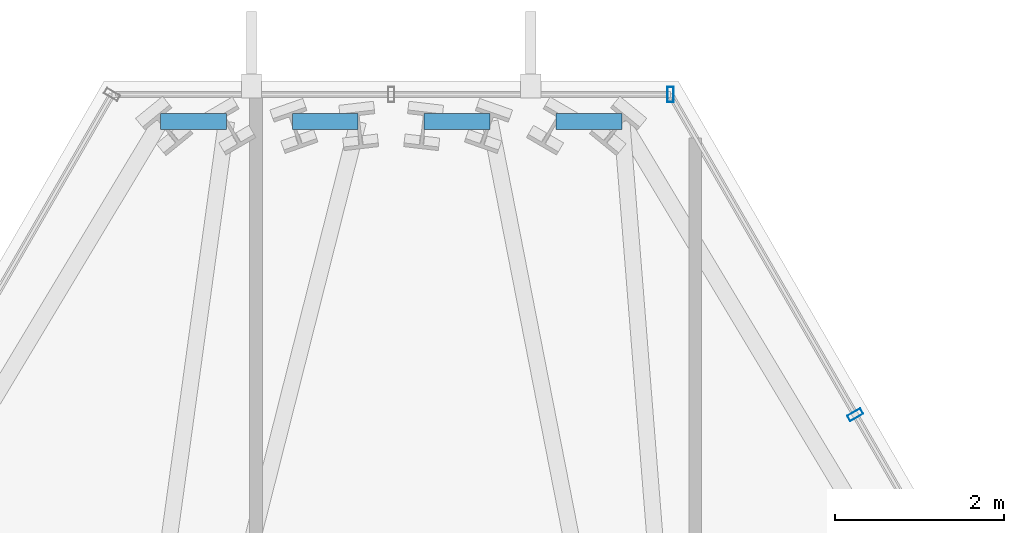
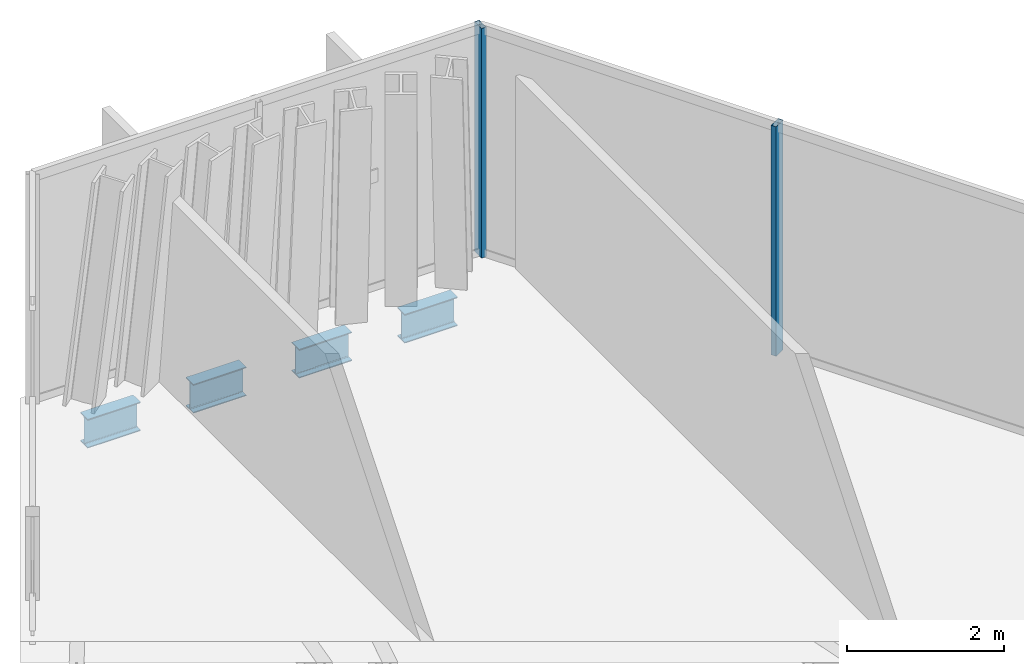
# One storey, part 22 of 29: 4 beams, 2 members, 2 elements without a shape of their own.
"""IFC4 building model written with IfcOpenShell, lengths in metres."""

from ifc_helpers import new_model, si_unit, direction, frame, origin, origin_2d, place, context, subcontext, project, spatial, hollow_rectangle, i_section, extrude, material, layer, layer_set, material_profile, profile_set, type_object, element, aggregate, save


model = new_model("IFC4")

# Units and contexts
model_context = context("Model", 3, precision=1e-05, world=origin(), true_north=direction((0.0, 1.0)))
body_context = subcontext(model_context, "Body", "Model", "MODEL_VIEW")
ifc_project = project(units=[si_unit("LENGTHUNIT", "METRE"), si_unit("AREAUNIT", "SQUARE_METRE"), si_unit("VOLUMEUNIT", "CUBIC_METRE"), si_unit("PLANEANGLEUNIT", "RADIAN"), si_unit("MASSUNIT", "GRAM", prefix="KILO")], contexts=[model_context])

# Site, building, storey
site_placement = place(None, origin())
site = spatial("IfcSite", under=ifc_project, at=site_placement, CompositionType="ELEMENT")
building_placement = place(site_placement, origin())
building = spatial("IfcBuilding", under=site, at=building_placement, Name="Ndaravel Arena Tower", CompositionType="ELEMENT")
storey_placement = place(building_placement, frame((0.0, 0.0, 248.39990234375)))
storey = spatial("IfcBuildingStorey", under=building, at=storey_placement, Name="L60", CompositionType="ELEMENT", Elevation=248.39990234375)

# Beams
ifc_material_1 = material(Name="Steel S355", Category="steel")
ifc_material_profile_1 = material_profile(ifc_material_1, i_section(OverallWidth=0.18994140625, OverallDepth=0.449951171875, WebThickness=0.009521484375, FlangeThickness=0.0146484375, FilletRadius=0.02099609375, at=origin_2d()), Name="IPE 450")
ifc_profile_set_1 = profile_set([ifc_material_profile_1], Name="Steel S355")
beam_type = type_object("IfcBeamType", Name="BM-SPAN-IPE450", PredefinedType="SPANDREL", material=ifc_profile_set_1)
for number, where, z_axis, x_axis, name in (
    (1, (44.72900390625, 44.669677734375, -0.44482421875), (-1.0, 0.0, 0.0), (0.0, -1.0, 0.0), "L60 Perimeter Spandrel Beam SP-11"),
    (2, (43.169677734375, 44.669677734375, -0.44482421875), (-1.0, 0.0, 0.0), (0.0, -1.0, 0.0), "L60 Perimeter Spandrel Beam SP-13"),
    (3, (41.610107421875, 44.669677734375, -0.44482421875), (-1.0, 0.0, 0.0), (0.0, -1.0, 0.0), "L60 Perimeter Spandrel Beam SP-15"),
    (4, (40.05078125, 44.669677734375, -0.44482421875), (-1.0, 0.0, 0.0), (0.0, -1.0, 0.0), "L60 Perimeter Spandrel Beam SP-17"),
):
    element("IfcBeam", number, at=place(storey_placement, frame(where, z_axis=z_axis, x_axis=x_axis)), inside=storey, type_object=beam_type, Name=name, PredefinedType="SPANDREL", context=body_context, shape_type="SweptSolid", body=[
        extrude(i_section(OverallWidth=0.18994140625, OverallDepth=0.449951171875, WebThickness=0.009521484375, FlangeThickness=0.0146484375, FilletRadius=0.02099609375, at=origin_2d()), origin(), (0.0, 0.0, 1.0), 0.77978515625),
    ])

# Curtain wall, member
ifc_material_2 = material(Name="Aluminium", Category="aluminium")
ifc_layer_1 = layer(ifc_material_2, 0.179931640625)
ifc_layer_set_1 = layer_set([ifc_layer_1], Name="Aluminium")
curtain_wall_type_1 = type_object("IfcCurtainWallType", Name="CW-SYS-03", PredefinedType="NOTDEFINED", material=ifc_layer_set_1)
curtain_wall_1_placement = place(storey_placement, origin())
curtain_wall_1 = element("IfcCurtainWall", 5, at=curtain_wall_1_placement, inside=storey, type_object=curtain_wall_type_1, Name="L60 Faceted Crystal Curtain Wall CW-L60-E03", PredefinedType="NOTDEFINED")
ifc_material_3 = material(Name="Aluminium", Category="aluminium")
ifc_material_profile_2 = material_profile(ifc_material_3, hollow_rectangle(XDim=0.074951171875, YDim=0.179931640625, WallThickness=0.00390625, at=origin_2d()), Name="CW MULLION 75x180x4")
ifc_profile_set_2 = profile_set([ifc_material_profile_2], Name="Aluminium")
member_type = type_object("IfcMemberType", Name="MEM-CW-MUL180", PredefinedType="MULLION", material=ifc_profile_set_2)
member_1_placement = place(storey_placement, frame((47.49169921875, 41.199951171875, 0.0), z_axis=(0.0, 0.0, 1.0), x_axis=(-0.5, 0.866025403784, 0.0)))
member_1 = element("IfcMember", 6, at=member_1_placement, type_object=member_type, Name="CW-L60-E03 Mullion 08", PredefinedType="MULLION", context=body_context, shape_type="SweptSolid", body=[
    extrude(hollow_rectangle(XDim=0.074951171875, YDim=0.179931640625, WallThickness=0.00390625, at=origin_2d()), origin(), (0.0, 0.0, 1.0), 3.580078125),
])
aggregate(curtain_wall_1, [member_1])

ifc_material_4 = material(Name="Aluminium", Category="aluminium")
ifc_layer_2 = layer(ifc_material_4, 0.179931640625)
ifc_layer_set_2 = layer_set([ifc_layer_2], Name="Aluminium")
curtain_wall_type_2 = type_object("IfcCurtainWallType", Name="CW-SYS-01", PredefinedType="NOTDEFINED", material=ifc_layer_set_2)
curtain_wall_2_placement = place(storey_placement, origin())
curtain_wall_2 = element("IfcCurtainWall", 7, at=curtain_wall_2_placement, inside=storey, type_object=curtain_wall_type_2, Name="L60 Faceted Crystal Curtain Wall CW-L60-E04", PredefinedType="NOTDEFINED")
member_2_placement = place(storey_placement, frame((45.3037109375, 44.989501953125, 0.0), z_axis=(0.0, 0.0, 1.0), x_axis=(-1.0, 0.0, 0.0)))
member_2 = element("IfcMember", 8, at=member_2_placement, type_object=member_type, Name="CW-L60-E04 Mullion 00", PredefinedType="MULLION", context=body_context, shape_type="SweptSolid", body=[
    extrude(hollow_rectangle(XDim=0.074951171875, YDim=0.179931640625, WallThickness=0.00390625, at=origin_2d()), origin(), (0.0, 0.0, 1.0), 3.580078125),
])
aggregate(curtain_wall_2, [member_2])

save(model, "model.ifc")
